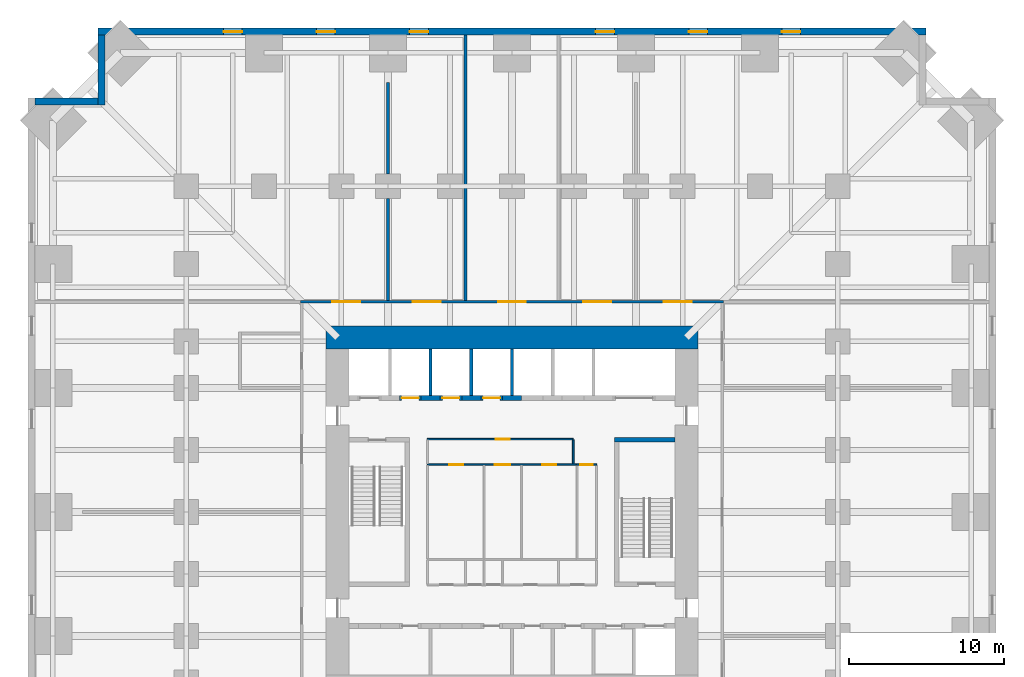
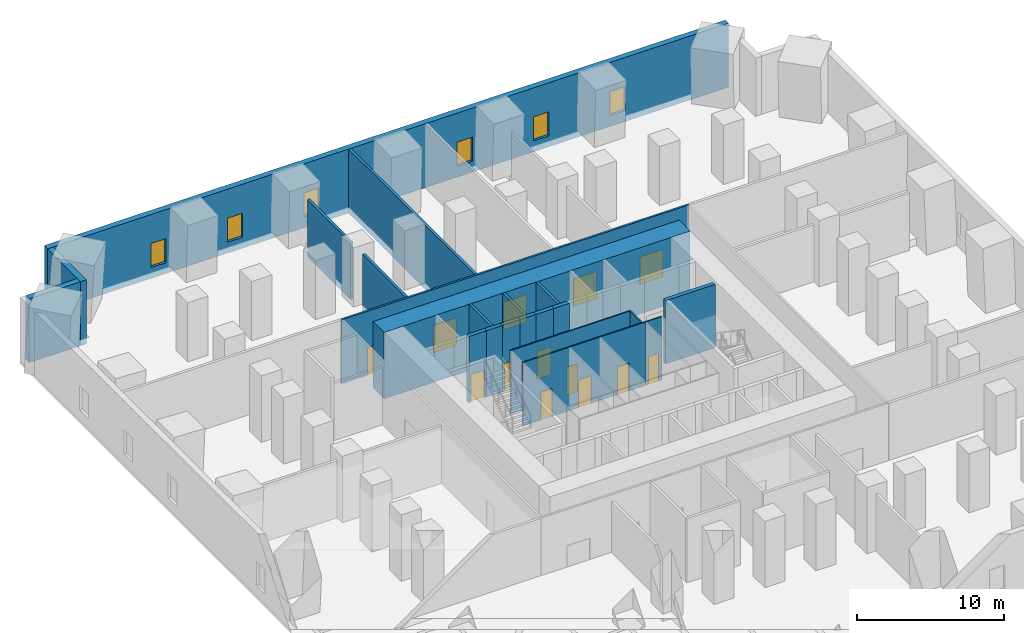
# One storey, part 6 of 8: 22 walls, 13 doors, 6 windows, 19 openings.
"""IFC4 building model written with IfcOpenShell, lengths in metres."""

from ifc_helpers import new_model, si_unit, direction, frame, frame_2d, origin, place, context, subcontext, project, spatial, rectangle, extrude, material, layer, layer_set, type_object, element, fill, save


model = new_model("IFC4")

# Units and contexts
model_context = context("Model", 3, precision=1e-05, world=origin(), true_north=direction((0.0, 1.0)))
body_context = subcontext(model_context, "Body", "Model", "MODEL_VIEW")
ifc_project = project(units=[si_unit("LENGTHUNIT", "METRE"), si_unit("AREAUNIT", "SQUARE_METRE"), si_unit("VOLUMEUNIT", "CUBIC_METRE"), si_unit("PLANEANGLEUNIT", "RADIAN"), si_unit("MASSUNIT", "GRAM", prefix="KILO")], contexts=[model_context])

# Site, building, storey
site_placement = place(None, origin())
site = spatial("IfcSite", under=ifc_project, at=site_placement, CompositionType="ELEMENT")
building_placement = place(site_placement, origin())
building = spatial("IfcBuilding", under=site, at=building_placement, Name="Peilmerk Tower", CompositionType="ELEMENT")
storey_placement = place(building_placement, frame((0.0, 0.0, 32.0)))
storey = spatial("IfcBuildingStorey", under=building, at=storey_placement, Name="L06", CompositionType="ELEMENT", Elevation=32.0)

# Wall, openings, windows
ifc_material_1 = material(Name="Precast concrete C45/55, board-marked finish", Category="concrete")
ifc_layer_1 = layer(ifc_material_1, 0.449951171875)
ifc_layer_set_1 = layer_set([ifc_layer_1], Name="Precast concrete C45/55, board-marked finish")
wall_type_1 = type_object("IfcWallType", Name="EW1 450 precast concrete facade wall, board-marked", PredefinedType="SOLIDWALL", material=ifc_layer_set_1)
wall_1_placement = place(storey_placement, frame((26.699951171875, 30.97509765625, 0.0), z_axis=(0.0, 0.0, 1.0), x_axis=(-1.0, 0.0, 0.0)))
wall_1 = element("IfcWall", 1, at=wall_1_placement, inside=storey, type_object=wall_type_1, Name="Facade wall N L06", PredefinedType="SOLIDWALL", context=body_context, shape_type="SweptSolid", body=[
    extrude(rectangle(XDim=53.39990234375, YDim=0.449951171875, at=frame_2d((26.699951171875, 0.0))), origin(), (0.0, 0.0, 1.0), 5.300048828125),
])
opening_1_placement = place(wall_1_placement, frame((8.10009765625, 0.0, 0.89990234375)))
opening_1 = element("IfcOpeningElement", 2, at=opening_1_placement, cuts=wall_1, Name="Opening W2", PredefinedType="OPENING", context=body_context, shape_type="SweptSolid", body=[
    extrude(rectangle(XDim=1.199951171875, YDim=2.0, at=frame_2d((0.60009765625, 1.0))), frame((0.0, 0.23486328125, 0.0), z_axis=(0.0, -1.0, 0.0), x_axis=(1.0, 0.0, 0.0)), (0.0, 0.0, 1.0), 0.469970703125),
])
opening_2_placement = place(wall_1_placement, frame((14.10009765625, 0.0, 0.89990234375)))
opening_2 = element("IfcOpeningElement", 3, at=opening_2_placement, cuts=wall_1, Name="Opening W2", PredefinedType="OPENING", context=body_context, shape_type="SweptSolid", body=[
    extrude(rectangle(XDim=1.199951171875, YDim=2.0, at=frame_2d((0.60009765625, 1.0))), frame((0.0, 0.23486328125, 0.0), z_axis=(0.0, -1.0, 0.0), x_axis=(1.0, 0.0, 0.0)), (0.0, 0.0, 1.0), 0.469970703125),
])
opening_3_placement = place(wall_1_placement, frame((20.10009765625, 0.0, 0.89990234375)))
opening_3 = element("IfcOpeningElement", 4, at=opening_3_placement, cuts=wall_1, Name="Opening W2", PredefinedType="OPENING", context=body_context, shape_type="SweptSolid", body=[
    extrude(rectangle(XDim=1.199951171875, YDim=2.0, at=frame_2d((0.60009765625, 1.0))), frame((0.0, 0.23486328125, 0.0), z_axis=(0.0, -1.0, 0.0), x_axis=(1.0, 0.0, 0.0)), (0.0, 0.0, 1.0), 0.469970703125),
])
opening_4_placement = place(wall_1_placement, frame((32.10009765625, 0.0, 0.89990234375)))
opening_4 = element("IfcOpeningElement", 5, at=opening_4_placement, cuts=wall_1, Name="Opening W2", PredefinedType="OPENING", context=body_context, shape_type="SweptSolid", body=[
    extrude(rectangle(XDim=1.199951171875, YDim=2.0, at=frame_2d((0.60009765625, 1.0))), frame((0.0, 0.23486328125, 0.0), z_axis=(0.0, -1.0, 0.0), x_axis=(1.0, 0.0, 0.0)), (0.0, 0.0, 1.0), 0.469970703125),
])
opening_5_placement = place(wall_1_placement, frame((38.10009765625, 0.0, 0.89990234375)))
opening_5 = element("IfcOpeningElement", 6, at=opening_5_placement, cuts=wall_1, Name="Opening W2", PredefinedType="OPENING", context=body_context, shape_type="SweptSolid", body=[
    extrude(rectangle(XDim=1.199951171875, YDim=2.0, at=frame_2d((0.60009765625, 1.0))), frame((0.0, 0.23486328125, 0.0), z_axis=(0.0, -1.0, 0.0), x_axis=(1.0, 0.0, 0.0)), (0.0, 0.0, 1.0), 0.469970703125),
])
opening_6_placement = place(wall_1_placement, frame((44.10009765625, 0.0, 0.89990234375)))
opening_6 = element("IfcOpeningElement", 7, at=opening_6_placement, cuts=wall_1, Name="Opening W2", PredefinedType="OPENING", context=body_context, shape_type="SweptSolid", body=[
    extrude(rectangle(XDim=1.199951171875, YDim=2.0, at=frame_2d((0.60009765625, 1.0))), frame((0.0, 0.23486328125, 0.0), z_axis=(0.0, -1.0, 0.0), x_axis=(1.0, 0.0, 0.0)), (0.0, 0.0, 1.0), 0.469970703125),
])
ifc_material_2 = material(Name="Aluminium frame, clear double glazing", Category="aluminium")
window_type = type_object("IfcWindowType", Name="W2 1200x2000 data hall slot window", PartitioningType="SINGLE_PANEL", PredefinedType="WINDOW", material=ifc_material_2)
window_1_placement = place(opening_1_placement, origin())
window_1 = element("IfcWindow", 8, at=window_1_placement, inside=storey, type_object=window_type, Name="Window W2 L06", OverallHeight=2.0, OverallWidth=1.199951171875, PartitioningType="SINGLE_PANEL", PredefinedType="WINDOW", context=body_context, shape_type="SweptSolid", body=[
    extrude(rectangle(XDim=1.199951171875, YDim=2.0, at=frame_2d((0.60009765625, 1.0))), frame((0.0, 0.030029296875, 0.0), z_axis=(0.0, -1.0, 0.0), x_axis=(1.0, 0.0, 0.0)), (0.0, 0.0, 1.0), 0.06005859375),
])
fill(opening_1, window_1)
window_2_placement = place(opening_2_placement, origin())
window_2 = element("IfcWindow", 9, at=window_2_placement, inside=storey, type_object=window_type, Name="Window W2 L06", OverallHeight=2.0, OverallWidth=1.199951171875, PartitioningType="SINGLE_PANEL", PredefinedType="WINDOW", context=body_context, shape_type="SweptSolid", body=[
    extrude(rectangle(XDim=1.199951171875, YDim=2.0, at=frame_2d((0.60009765625, 1.0))), frame((0.0, 0.030029296875, 0.0), z_axis=(0.0, -1.0, 0.0), x_axis=(1.0, 0.0, 0.0)), (0.0, 0.0, 1.0), 0.06005859375),
])
fill(opening_2, window_2)
window_3_placement = place(opening_3_placement, origin())
window_3 = element("IfcWindow", 10, at=window_3_placement, inside=storey, type_object=window_type, Name="Window W2 L06", OverallHeight=2.0, OverallWidth=1.199951171875, PartitioningType="SINGLE_PANEL", PredefinedType="WINDOW", context=body_context, shape_type="SweptSolid", body=[
    extrude(rectangle(XDim=1.199951171875, YDim=2.0, at=frame_2d((0.60009765625, 1.0))), frame((0.0, 0.030029296875, 0.0), z_axis=(0.0, -1.0, 0.0), x_axis=(1.0, 0.0, 0.0)), (0.0, 0.0, 1.0), 0.06005859375),
])
fill(opening_3, window_3)
window_4_placement = place(opening_4_placement, origin())
window_4 = element("IfcWindow", 11, at=window_4_placement, inside=storey, type_object=window_type, Name="Window W2 L06", OverallHeight=2.0, OverallWidth=1.199951171875, PartitioningType="SINGLE_PANEL", PredefinedType="WINDOW", context=body_context, shape_type="SweptSolid", body=[
    extrude(rectangle(XDim=1.199951171875, YDim=2.0, at=frame_2d((0.60009765625, 1.0))), frame((0.0, 0.030029296875, 0.0), z_axis=(0.0, -1.0, 0.0), x_axis=(1.0, 0.0, 0.0)), (0.0, 0.0, 1.0), 0.06005859375),
])
fill(opening_4, window_4)
window_5_placement = place(opening_5_placement, origin())
window_5 = element("IfcWindow", 12, at=window_5_placement, inside=storey, type_object=window_type, Name="Window W2 L06", OverallHeight=2.0, OverallWidth=1.199951171875, PartitioningType="SINGLE_PANEL", PredefinedType="WINDOW", context=body_context, shape_type="SweptSolid", body=[
    extrude(rectangle(XDim=1.199951171875, YDim=2.0, at=frame_2d((0.60009765625, 1.0))), frame((0.0, 0.030029296875, 0.0), z_axis=(0.0, -1.0, 0.0), x_axis=(1.0, 0.0, 0.0)), (0.0, 0.0, 1.0), 0.06005859375),
])
fill(opening_5, window_5)
window_6_placement = place(opening_6_placement, origin())
window_6 = element("IfcWindow", 13, at=window_6_placement, inside=storey, type_object=window_type, Name="Window W2 L06", OverallHeight=2.0, OverallWidth=1.199951171875, PartitioningType="SINGLE_PANEL", PredefinedType="WINDOW", context=body_context, shape_type="SweptSolid", body=[
    extrude(rectangle(XDim=1.199951171875, YDim=2.0, at=frame_2d((0.60009765625, 1.0))), frame((0.0, 0.030029296875, 0.0), z_axis=(0.0, -1.0, 0.0), x_axis=(1.0, 0.0, 0.0)), (0.0, 0.0, 1.0), 0.06005859375),
])
fill(opening_6, window_6)

# Walls
wall_2_placement = place(storey_placement, frame((-26.47509765625, 26.25, 0.0), z_axis=(0.0, 0.0, 1.0), x_axis=(0.0, 1.0, 0.0)))
element("IfcWall", 14, at=wall_2_placement, inside=storey, type_object=wall_type_1, Name="Facade wall NWA L06", PredefinedType="SOLIDWALL", context=body_context, shape_type="SweptSolid", body=[
    extrude(rectangle(XDim=4.5, YDim=0.449951171875, at=frame_2d((2.25, 0.0))), origin(), (0.0, 0.0, 1.0), 5.300048828125),
])
wall_3_placement = place(storey_placement, frame((-26.699951171875, 26.47509765625, 0.0), z_axis=(0.0, 0.0, 1.0), x_axis=(-1.0, 0.0, 0.0)))
element("IfcWall", 15, at=wall_3_placement, inside=storey, type_object=wall_type_1, Name="Facade wall NWB L06", PredefinedType="SOLIDWALL", context=body_context, shape_type="SweptSolid", body=[
    extrude(rectangle(XDim=4.050048828125, YDim=0.449951171875, at=frame_2d((2.02490234375, 0.0))), origin(), (0.0, 0.0, 1.0), 5.300048828125),
])

# Wall, openings, doors
ifc_material_3 = material(Name="Calcium silicate block", Category="masonry")
ifc_layer_2 = layer(ifc_material_3, 0.14990234375)
ifc_layer_set_2 = layer_set([ifc_layer_2], Name="Calcium silicate block")
wall_type_2 = type_object("IfcWallType", Name="IW1 150 corridor partition, EI 60", PredefinedType="PARTITIONING", material=ifc_layer_set_2)
wall_4_placement = place(storey_placement, frame((-13.625, 13.550048828125, 0.0), z_axis=(0.0, 0.0, 1.0), x_axis=(1.0, 0.0, 0.0)))
wall_4 = element("IfcWall", 16, at=wall_4_placement, inside=storey, type_object=wall_type_2, Name="Corridor wall N L06", PredefinedType="PARTITIONING", context=body_context, shape_type="SweptSolid", body=[
    extrude(rectangle(XDim=27.25, YDim=0.14990234375, at=frame_2d((13.625, 0.0))), origin(), (0.0, 0.0, 1.0), 5.300048828125),
])
opening_7_placement = place(wall_4_placement, frame((2.02490234375, 0.0, 0.0)))
opening_7 = element("IfcOpeningElement", 17, at=opening_7_placement, cuts=wall_4, Name="Opening D2", PredefinedType="OPENING", context=body_context, shape_type="SweptSolid", body=[
    extrude(rectangle(XDim=1.800048828125, YDim=2.300048828125, at=frame_2d((0.89990234375, 1.14990234375))), frame((0.0, 0.0849609375, 0.0), z_axis=(0.0, -1.0, 0.0), x_axis=(1.0, 0.0, 0.0)), (0.0, 0.0, 1.0), 0.169921875),
])
opening_8_placement = place(wall_4_placement, frame((7.22509765625, 0.0, 0.0)))
opening_8 = element("IfcOpeningElement", 18, at=opening_8_placement, cuts=wall_4, Name="Opening D2", PredefinedType="OPENING", context=body_context, shape_type="SweptSolid", body=[
    extrude(rectangle(XDim=1.800048828125, YDim=2.300048828125, at=frame_2d((0.89990234375, 1.14990234375))), frame((0.0, 0.0849609375, 0.0), z_axis=(0.0, -1.0, 0.0), x_axis=(1.0, 0.0, 0.0)), (0.0, 0.0, 1.0), 0.169921875),
])
opening_9_placement = place(wall_4_placement, frame((12.72509765625, 0.0, 0.0)))
opening_9 = element("IfcOpeningElement", 19, at=opening_9_placement, cuts=wall_4, Name="Opening D2", PredefinedType="OPENING", context=body_context, shape_type="SweptSolid", body=[
    extrude(rectangle(XDim=1.800048828125, YDim=2.300048828125, at=frame_2d((0.89990234375, 1.14990234375))), frame((0.0, 0.0849609375, 0.0), z_axis=(0.0, -1.0, 0.0), x_axis=(1.0, 0.0, 0.0)), (0.0, 0.0, 1.0), 0.169921875),
])
opening_10_placement = place(wall_4_placement, frame((18.22509765625, 0.0, 0.0)))
opening_10 = element("IfcOpeningElement", 20, at=opening_10_placement, cuts=wall_4, Name="Opening D2", PredefinedType="OPENING", context=body_context, shape_type="SweptSolid", body=[
    extrude(rectangle(XDim=1.800048828125, YDim=2.300048828125, at=frame_2d((0.89990234375, 1.14990234375))), frame((0.0, 0.0849609375, 0.0), z_axis=(0.0, -1.0, 0.0), x_axis=(1.0, 0.0, 0.0)), (0.0, 0.0, 1.0), 0.169921875),
])
opening_11_placement = place(wall_4_placement, frame((23.425048828125, 0.0, 0.0)))
opening_11 = element("IfcOpeningElement", 21, at=opening_11_placement, cuts=wall_4, Name="Opening D2", PredefinedType="OPENING", context=body_context, shape_type="SweptSolid", body=[
    extrude(rectangle(XDim=1.800048828125, YDim=2.300048828125, at=frame_2d((0.89990234375, 1.14990234375))), frame((0.0, 0.0849609375, 0.0), z_axis=(0.0, -1.0, 0.0), x_axis=(1.0, 0.0, 0.0)), (0.0, 0.0, 1.0), 0.169921875),
])
ifc_material_4 = material(Name="Steel door in steel frame", Category="steel")
door_type_1 = type_object("IfcDoorType", Name="D2 1800x2300 double door, EI2 60", OperationType="DOUBLE_DOOR_DOUBLE_SWING", PredefinedType="DOOR", material=ifc_material_4)
door_1_placement = place(opening_7_placement, origin())
door_1 = element("IfcDoor", 22, at=door_1_placement, inside=storey, type_object=door_type_1, Name="Door Data suite A L06", OperationType="DOUBLE_DOOR_DOUBLE_SWING", OverallHeight=2.300048828125, OverallWidth=1.800048828125, PredefinedType="DOOR", context=body_context, shape_type="SweptSolid", body=[
    extrude(rectangle(XDim=1.800048828125, YDim=2.300048828125, at=frame_2d((0.89990234375, 1.14990234375))), frame((0.0, 0.02490234375, 0.0), z_axis=(0.0, -1.0, 0.0), x_axis=(1.0, 0.0, 0.0)), (0.0, 0.0, 1.0), 0.050048828125),
])
fill(opening_7, door_1)
door_2_placement = place(opening_8_placement, origin())
door_2 = element("IfcDoor", 23, at=door_2_placement, inside=storey, type_object=door_type_1, Name="Door Data suite B L06", OperationType="DOUBLE_DOOR_DOUBLE_SWING", OverallHeight=2.300048828125, OverallWidth=1.800048828125, PredefinedType="DOOR", context=body_context, shape_type="SweptSolid", body=[
    extrude(rectangle(XDim=1.800048828125, YDim=2.300048828125, at=frame_2d((0.89990234375, 1.14990234375))), frame((0.0, 0.02490234375, 0.0), z_axis=(0.0, -1.0, 0.0), x_axis=(1.0, 0.0, 0.0)), (0.0, 0.0, 1.0), 0.050048828125),
])
fill(opening_8, door_2)
door_3_placement = place(opening_9_placement, origin())
door_3 = element("IfcDoor", 24, at=door_3_placement, inside=storey, type_object=door_type_1, Name="Door Build room L06", OperationType="DOUBLE_DOOR_DOUBLE_SWING", OverallHeight=2.300048828125, OverallWidth=1.800048828125, PredefinedType="DOOR", context=body_context, shape_type="SweptSolid", body=[
    extrude(rectangle(XDim=1.800048828125, YDim=2.300048828125, at=frame_2d((0.89990234375, 1.14990234375))), frame((0.0, 0.02490234375, 0.0), z_axis=(0.0, -1.0, 0.0), x_axis=(1.0, 0.0, 0.0)), (0.0, 0.0, 1.0), 0.050048828125),
])
fill(opening_9, door_3)
door_4_placement = place(opening_10_placement, origin())
door_4 = element("IfcDoor", 25, at=door_4_placement, inside=storey, type_object=door_type_1, Name="Door Data suite C L06", OperationType="DOUBLE_DOOR_DOUBLE_SWING", OverallHeight=2.300048828125, OverallWidth=1.800048828125, PredefinedType="DOOR", context=body_context, shape_type="SweptSolid", body=[
    extrude(rectangle(XDim=1.800048828125, YDim=2.300048828125, at=frame_2d((0.89990234375, 1.14990234375))), frame((0.0, 0.02490234375, 0.0), z_axis=(0.0, -1.0, 0.0), x_axis=(1.0, 0.0, 0.0)), (0.0, 0.0, 1.0), 0.050048828125),
])
fill(opening_10, door_4)
door_5_placement = place(opening_11_placement, origin())
door_5 = element("IfcDoor", 26, at=door_5_placement, inside=storey, type_object=door_type_1, Name="Door Data suite D L06", OperationType="DOUBLE_DOOR_DOUBLE_SWING", OverallHeight=2.300048828125, OverallWidth=1.800048828125, PredefinedType="DOOR", context=body_context, shape_type="SweptSolid", body=[
    extrude(rectangle(XDim=1.800048828125, YDim=2.300048828125, at=frame_2d((0.89990234375, 1.14990234375))), frame((0.0, 0.02490234375, 0.0), z_axis=(0.0, -1.0, 0.0), x_axis=(1.0, 0.0, 0.0)), (0.0, 0.0, 1.0), 0.050048828125),
])
fill(opening_11, door_5)

# Walls
ifc_layer_3 = layer(ifc_material_3, 0.199951171875)
ifc_layer_set_3 = layer_set([ifc_layer_3], Name="Calcium silicate block")
wall_type_3 = type_object("IfcWallType", Name="IW2 200 room separating wall, EI 120", PredefinedType="PARTITIONING", material=ifc_layer_set_3)
wall_5_placement = place(storey_placement, frame((-8.0, 13.625, 0.0), z_axis=(0.0, 0.0, 1.0), x_axis=(0.0, 1.0, 0.0)))
element("IfcWall", 27, at=wall_5_placement, inside=storey, type_object=wall_type_3, Name="Room separating wall N1 L06", PredefinedType="PARTITIONING", context=body_context, shape_type="SweptSolid", body=[
    extrude(rectangle(XDim=6.574951171875, YDim=0.199951171875, at=frame_2d((3.28759765625, 0.0))), origin(), (0.0, 0.0, 1.0), 4.73095703125),
])
wall_6_placement = place(storey_placement, frame((-8.0, 21.800048828125, 0.0), z_axis=(0.0, 0.0, 1.0), x_axis=(0.0, 1.0, 0.0)))
element("IfcWall", 28, at=wall_6_placement, inside=storey, type_object=wall_type_3, Name="Room separating wall N1b L06", PredefinedType="PARTITIONING", context=body_context, shape_type="SweptSolid", body=[
    extrude(rectangle(XDim=5.887451171875, YDim=0.199951171875, at=frame_2d((2.94384765625, 0.0))), origin(), (0.0, 0.0, 1.0), 4.73095703125),
])
wall_7_placement = place(storey_placement, frame((-3.0, 13.625, 0.0), z_axis=(0.0, 0.0, 1.0), x_axis=(0.0, 1.0, 0.0)))
element("IfcWall", 29, at=wall_7_placement, inside=storey, type_object=wall_type_3, Name="Room separating wall N2 L06", PredefinedType="PARTITIONING", context=body_context, shape_type="SweptSolid", body=[
    extrude(rectangle(XDim=17.125, YDim=0.199951171875, at=frame_2d((8.5625, 0.0))), origin(), (0.0, 0.0, 1.0), 5.300048828125),
])
ifc_material_5 = material(Name="Concrete C35/45", Category="concrete")
ifc_layer_4 = layer(ifc_material_5, 0.300048828125)
ifc_layer_set_4 = layer_set([ifc_layer_4], Name="Concrete C35/45")
wall_type_4 = type_object("IfcWallType", Name="IW3 300 concrete stair enclosure wall, EI 120", PredefinedType="SOLIDWALL", material=ifc_layer_set_4)
wall_8_placement = place(storey_placement, frame((6.60009765625, 4.64990234375, 0.0), z_axis=(0.0, 0.0, 1.0), x_axis=(1.0, 0.0, 0.0)))
element("IfcWall", 30, at=wall_8_placement, inside=storey, type_object=wall_type_4, Name="Stair 2 enclosure L06", PredefinedType="SOLIDWALL", context=body_context, shape_type="SweptSolid", body=[
    extrude(rectangle(XDim=3.89990234375, YDim=0.300048828125, at=frame_2d((1.949951171875, 0.0))), origin(), (0.0, 0.0, 1.0), 5.25),
])

# Wall, openings, doors
ifc_material_6 = material(Name="Plasterboard on steel studs", Category="steel")
ifc_layer_5 = layer(ifc_material_6, 0.10009765625)
ifc_layer_set_5 = layer_set([ifc_layer_5], Name="Plasterboard on steel studs")
wall_type_5 = type_object("IfcWallType", Name="IW4 100 WC partition", PredefinedType="PARTITIONING", material=ifc_layer_set_5)
wall_9_placement = place(storey_placement, frame((-5.449951171875, 3.050048828125, 0.0), z_axis=(0.0, 0.0, 1.0), x_axis=(1.0, 0.0, 0.0)))
wall_9 = element("IfcWall", 31, at=wall_9_placement, inside=storey, type_object=wall_type_5, Name="WC wall L06", PredefinedType="PARTITIONING", context=body_context, shape_type="SweptSolid", body=[
    extrude(rectangle(XDim=9.599853515625, YDim=0.10009765625, at=frame_2d((4.7998046875, 0.0))), origin(), (0.0, 0.0, 1.0), 5.25),
])
opening_12_placement = place(wall_9_placement, frame((1.39990234375, 0.0, 0.0)))
opening_12 = element("IfcOpeningElement", 32, at=opening_12_placement, cuts=wall_9, Name="Opening D5", PredefinedType="OPENING", context=body_context, shape_type="SweptSolid", body=[
    extrude(rectangle(XDim=0.89990234375, YDim=2.300048828125, at=frame_2d((0.449951171875, 1.14990234375))), frame((0.0, 0.06005859375, 0.0), z_axis=(0.0, -1.0, 0.0), x_axis=(1.0, 0.0, 0.0)), (0.0, 0.0, 1.0), 0.1201171875),
])
opening_13_placement = place(wall_9_placement, frame((4.35009765625, 0.0, 0.0)))
opening_13 = element("IfcOpeningElement", 33, at=opening_13_placement, cuts=wall_9, Name="Opening D6", PredefinedType="OPENING", context=body_context, shape_type="SweptSolid", body=[
    extrude(rectangle(XDim=1.0, YDim=2.300048828125, at=frame_2d((0.5, 1.14990234375))), frame((0.0, 0.06005859375, 0.0), z_axis=(0.0, -1.0, 0.0), x_axis=(1.0, 0.0, 0.0)), (0.0, 0.0, 1.0), 0.1201171875),
])
opening_14_placement = place(wall_9_placement, frame((7.39990234375, 0.0, 0.0)))
opening_14 = element("IfcOpeningElement", 34, at=opening_14_placement, cuts=wall_9, Name="Opening D5", PredefinedType="OPENING", context=body_context, shape_type="SweptSolid", body=[
    extrude(rectangle(XDim=0.89990234375, YDim=2.300048828125, at=frame_2d((0.449951171875, 1.14990234375))), frame((0.0, 0.06005859375, 0.0), z_axis=(0.0, -1.0, 0.0), x_axis=(1.0, 0.0, 0.0)), (0.0, 0.0, 1.0), 0.1201171875),
])
ifc_material_7 = material(Name="Timber door in steel frame", Category="steel")
door_type_2 = type_object("IfcDoorType", Name="D5 900x2300 WC door", OperationType="SINGLE_SWING_LEFT", PredefinedType="DOOR", material=ifc_material_7)
door_6_placement = place(opening_12_placement, frame((0.89990234375, 0.0, 0.0), z_axis=(0.0, 0.0, 1.0), x_axis=(-1.0, 0.0, 0.0)))
door_6 = element("IfcDoor", 35, at=door_6_placement, inside=storey, type_object=door_type_2, Name="Female toilets door L06", OperationType="SINGLE_SWING_LEFT", OverallHeight=2.300048828125, OverallWidth=0.89990234375, PredefinedType="DOOR", context=body_context, shape_type="SweptSolid", body=[
    extrude(rectangle(XDim=0.89990234375, YDim=2.300048828125, at=frame_2d((0.449951171875, 1.14990234375))), frame((0.0, 0.02490234375, 0.0), z_axis=(0.0, -1.0, 0.0), x_axis=(1.0, 0.0, 0.0)), (0.0, 0.0, 1.0), 0.050048828125),
])
fill(opening_12, door_6)
door_7_placement = place(opening_14_placement, frame((0.89990234375, 0.0, 0.0), z_axis=(0.0, 0.0, 1.0), x_axis=(-1.0, 0.0, 0.0)))
door_7 = element("IfcDoor", 36, at=door_7_placement, inside=storey, type_object=door_type_2, Name="Male toilets door L06", OperationType="SINGLE_SWING_LEFT", OverallHeight=2.300048828125, OverallWidth=0.89990234375, PredefinedType="DOOR", context=body_context, shape_type="SweptSolid", body=[
    extrude(rectangle(XDim=0.89990234375, YDim=2.300048828125, at=frame_2d((0.449951171875, 1.14990234375))), frame((0.0, 0.02490234375, 0.0), z_axis=(0.0, -1.0, 0.0), x_axis=(1.0, 0.0, 0.0)), (0.0, 0.0, 1.0), 0.050048828125),
])
fill(opening_14, door_7)
door_type_3 = type_object("IfcDoorType", Name="D6 1000x2300 accessible WC door", OperationType="SLIDING_TO_LEFT", PredefinedType="DOOR", material=ifc_material_7)
door_8_placement = place(opening_13_placement, frame((1.0, 0.0, 0.0), z_axis=(0.0, 0.0, 1.0), x_axis=(-1.0, 0.0, 0.0)))
door_8 = element("IfcDoor", 37, at=door_8_placement, inside=storey, type_object=door_type_3, Name="Accessible WC door L06", OperationType="SLIDING_TO_LEFT", OverallHeight=2.300048828125, OverallWidth=1.0, PredefinedType="DOOR", context=body_context, shape_type="SweptSolid", body=[
    extrude(rectangle(XDim=1.0, YDim=2.300048828125, at=frame_2d((0.5, 1.14990234375))), frame((0.0, 0.02490234375, 0.0), z_axis=(0.0, -1.0, 0.0), x_axis=(1.0, 0.0, 0.0)), (0.0, 0.0, 1.0), 0.050048828125),
])
fill(opening_13, door_8)

# Wall, opening, door
ifc_material_8 = material(Name="Calcium silicate board on steel studs", Category="steel")
ifc_layer_6 = layer(ifc_material_8, 0.10009765625)
ifc_layer_set_6 = layer_set([ifc_layer_6], Name="Calcium silicate board on steel studs")
wall_type_6 = type_object("IfcWallType", Name="IW5 100 riser enclosure wall, EI 60", PredefinedType="PARTITIONING", material=ifc_layer_set_6)
wall_10_placement = place(storey_placement, frame((4.14990234375, 3.050048828125, 0.0), z_axis=(0.0, 0.0, 1.0), x_axis=(1.0, 0.0, 0.0)))
wall_10 = element("IfcWall", 38, at=wall_10_placement, inside=storey, type_object=wall_type_6, Name="Riser wall L06", PredefinedType="PARTITIONING", context=body_context, shape_type="SweptSolid", body=[
    extrude(rectangle(XDim=1.300048828125, YDim=0.10009765625, at=frame_2d((0.64990234375, 0.0))), origin(), (0.0, 0.0, 1.0), 5.25),
])
opening_15_placement = place(wall_10_placement, frame((0.25, 0.0, 0.0)))
opening_15 = element("IfcOpeningElement", 39, at=opening_15_placement, cuts=wall_10, Name="Opening D7", PredefinedType="OPENING", context=body_context, shape_type="SweptSolid", body=[
    extrude(rectangle(XDim=0.800048828125, YDim=2.300048828125, at=frame_2d((0.39990234375, 1.14990234375))), frame((0.0, 0.06005859375, 0.0), z_axis=(0.0, -1.0, 0.0), x_axis=(1.0, 0.0, 0.0)), (0.0, 0.0, 1.0), 0.1201171875),
])
door_type_4 = type_object("IfcDoorType", Name="D7 800x2300 riser access door, EI2 60", OperationType="SINGLE_SWING_RIGHT", PredefinedType="DOOR", material=ifc_material_4)
door_9_placement = place(opening_15_placement, frame((0.800048828125, 0.0, 0.0), z_axis=(0.0, 0.0, 1.0), x_axis=(-1.0, 0.0, 0.0)))
door_9 = element("IfcDoor", 40, at=door_9_placement, inside=storey, type_object=door_type_4, Name="Plumbing riser door L06", OperationType="SINGLE_SWING_RIGHT", OverallHeight=2.300048828125, OverallWidth=0.800048828125, PredefinedType="DOOR", context=body_context, shape_type="SweptSolid", body=[
    extrude(rectangle(XDim=0.800048828125, YDim=2.300048828125, at=frame_2d((0.39990234375, 1.14990234375))), frame((0.0, 0.02490234375, 0.0), z_axis=(0.0, -1.0, 0.0), x_axis=(1.0, 0.0, 0.0)), (0.0, 0.0, 1.0), 0.050048828125),
])
fill(opening_15, door_9)

ifc_material_9 = material(Name="Fire-resisting plasterboard on steel studs", Category="steel")
ifc_layer_7 = layer(ifc_material_9, 0.10009765625)
ifc_layer_set_7 = layer_set([ifc_layer_7], Name="Fire-resisting plasterboard on steel studs")
wall_type_7 = type_object("IfcWallType", Name="IW9 100 WC lobby wall, EI 30", PredefinedType="PARTITIONING", material=ifc_layer_set_7)
wall_11_placement = place(storey_placement, frame((-5.449951171875, 4.699951171875, 0.0), z_axis=(0.0, 0.0, 1.0), x_axis=(1.0, 0.0, 0.0)))
wall_11 = element("IfcWall", 41, at=wall_11_placement, inside=storey, type_object=wall_type_7, Name="WC lobby wall L06", PredefinedType="PARTITIONING", context=body_context, shape_type="SweptSolid", body=[
    extrude(rectangle(XDim=9.39990234375, YDim=0.10009765625, at=frame_2d((4.699951171875, 0.0))), origin(), (0.0, 0.0, 1.0), 5.25),
])
opening_16_placement = place(wall_11_placement, frame((4.39990234375, 0.0, 0.0)))
opening_16 = element("IfcOpeningElement", 42, at=opening_16_placement, cuts=wall_11, Name="Opening D11", PredefinedType="OPENING", context=body_context, shape_type="SweptSolid", body=[
    extrude(rectangle(XDim=0.89990234375, YDim=2.300048828125, at=frame_2d((0.449951171875, 1.14990234375))), frame((0.0, 0.06005859375, 0.0), z_axis=(0.0, -1.0, 0.0), x_axis=(1.0, 0.0, 0.0)), (0.0, 0.0, 1.0), 0.1201171875),
])
door_type_5 = type_object("IfcDoorType", Name="D11 900x2300 WC lobby door, EI2 30", OperationType="SINGLE_SWING_LEFT", PredefinedType="DOOR", material=ifc_material_7)
door_10_placement = place(opening_16_placement, frame((0.89990234375, 0.0, 0.0), z_axis=(0.0, 0.0, 1.0), x_axis=(-1.0, 0.0, 0.0)))
door_10 = element("IfcDoor", 43, at=door_10_placement, inside=storey, type_object=door_type_5, Name="WC lobby door L06", OperationType="SINGLE_SWING_LEFT", OverallHeight=2.300048828125, OverallWidth=0.89990234375, PredefinedType="DOOR", context=body_context, shape_type="SweptSolid", body=[
    extrude(rectangle(XDim=0.89990234375, YDim=2.300048828125, at=frame_2d((0.449951171875, 1.14990234375))), frame((0.0, 0.02490234375, 0.0), z_axis=(0.0, -1.0, 0.0), x_axis=(1.0, 0.0, 0.0)), (0.0, 0.0, 1.0), 0.050048828125),
])
fill(opening_16, door_10)

# Walls
wall_12_placement = place(storey_placement, frame((3.949951171875, 3.10009765625, 0.0), z_axis=(0.0, 0.0, 1.0), x_axis=(0.0, 1.0, 0.0)))
element("IfcWall", 44, at=wall_12_placement, inside=storey, type_object=wall_type_7, Name="WC lobby wall L06", PredefinedType="PARTITIONING", context=body_context, shape_type="SweptSolid", body=[
    extrude(rectangle(XDim=1.5498046875, YDim=0.10009765625, at=frame_2d((0.77490234375, 0.0))), origin(), (0.0, 0.0, 1.0), 5.25),
])
ifc_layer_8 = layer(ifc_material_3, 0.199951171875)
ifc_layer_set_8 = layer_set([ifc_layer_8], Name="Calcium silicate block")
wall_type_8 = type_object("IfcWallType", Name="SH1 200 shaft dividing wall, EI 120", PredefinedType="PARTITIONING", material=ifc_layer_set_8)
for number, where, z_axis, x_axis, name in (
    (45, (-5.25, 7.5, 0.0), (0.0, 0.0, 1.0), (0.0, 1.0, 0.0), "Shaft wall N A1 L06"),
    (46, (-2.625, 7.5, 0.0), (0.0, 0.0, 1.0), (0.0, 1.0, 0.0), "Shaft wall N A2 L06"),
    (47, (0.0, 7.5, 0.0), (0.0, 0.0, 1.0), (0.0, 1.0, 0.0), "Shaft wall N A3 L06"),
):
    element("IfcWall", number, at=place(storey_placement, frame(where, z_axis=z_axis, x_axis=x_axis)), inside=storey, type_object=wall_type_8, Name=name, PredefinedType="PARTITIONING", context=body_context, shape_type="SweptSolid", body=[
        extrude(rectangle(XDim=3.0, YDim=0.199951171875, at=frame_2d((1.5, 0.0))), origin(), (0.0, 0.0, 1.0), 5.5),
    ])

# Wall, opening, door
ifc_layer_9 = layer(ifc_material_3, 0.300048828125)
ifc_layer_set_9 = layer_set([ifc_layer_9], Name="Calcium silicate block")
wall_type_9 = type_object("IfcWallType", Name="SH2 300 lift landing door panel, EI 120", PredefinedType="PARTITIONING", material=ifc_layer_set_9)
wall_13_placement = place(storey_placement, frame((-7.262451171875, 7.35009765625, 0.0), z_axis=(0.0, 0.0, 1.0), x_axis=(1.0, 0.0, 0.0)))
wall_13 = element("IfcWall", 48, at=wall_13_placement, inside=storey, type_object=wall_type_9, Name="Lift door panel N A1 L06", PredefinedType="PARTITIONING", context=body_context, shape_type="SweptSolid", body=[
    extrude(rectangle(XDim=1.39990234375, YDim=0.300048828125, at=frame_2d((0.699951171875, 0.0))), origin(), (0.0, 0.0, 1.0), 5.5),
])
opening_17_placement = place(wall_13_placement, frame((0.14990234375, 0.0, 0.0)))
opening_17 = element("IfcOpeningElement", 49, at=opening_17_placement, cuts=wall_13, Name="Opening LD1", PredefinedType="OPENING", context=body_context, shape_type="SweptSolid", body=[
    extrude(rectangle(XDim=1.10009765625, YDim=2.300048828125, at=frame_2d((0.550048828125, 1.14990234375))), frame((0.0, 0.159912109375, 0.0), z_axis=(0.0, -1.0, 0.0), x_axis=(1.0, 0.0, 0.0)), (0.0, 0.0, 1.0), 0.320068359375),
])
ifc_material_10 = material(Name="Stainless steel landing door", Category="steel")
door_type_6 = type_object("IfcDoorType", Name="LD1 1100x2300 lift landing door, sliding, EI2 60", OperationType="SLIDING_TO_LEFT", PredefinedType="DOOR", material=ifc_material_10)
door_11_placement = place(opening_17_placement, frame((1.10009765625, 0.0, 0.0), z_axis=(0.0, 0.0, 1.0), x_axis=(-1.0, 0.0, 0.0)))
door_11 = element("IfcDoor", 50, at=door_11_placement, inside=storey, type_object=door_type_6, Name="Lift landing door A1 L06", OperationType="SLIDING_TO_LEFT", OverallHeight=2.300048828125, OverallWidth=1.10009765625, PredefinedType="DOOR", context=body_context, shape_type="SweptSolid", body=[
    extrude(rectangle(XDim=1.10009765625, YDim=2.300048828125, at=frame_2d((0.550048828125, 1.14990234375))), frame((0.0, 0.02490234375, 0.0), z_axis=(0.0, -1.0, 0.0), x_axis=(1.0, 0.0, 0.0)), (0.0, 0.0, 1.0), 0.050048828125),
])
fill(opening_17, door_11)

wall_14_placement = place(storey_placement, frame((-4.637451171875, 7.35009765625, 0.0), z_axis=(0.0, 0.0, 1.0), x_axis=(1.0, 0.0, 0.0)))
wall_14 = element("IfcWall", 51, at=wall_14_placement, inside=storey, type_object=wall_type_9, Name="Lift door panel N A2 L06", PredefinedType="PARTITIONING", context=body_context, shape_type="SweptSolid", body=[
    extrude(rectangle(XDim=1.39990234375, YDim=0.300048828125, at=frame_2d((0.699951171875, 0.0))), origin(), (0.0, 0.0, 1.0), 5.5),
])
opening_18_placement = place(wall_14_placement, frame((0.14990234375, 0.0, 0.0)))
opening_18 = element("IfcOpeningElement", 52, at=opening_18_placement, cuts=wall_14, Name="Opening LD1", PredefinedType="OPENING", context=body_context, shape_type="SweptSolid", body=[
    extrude(rectangle(XDim=1.10009765625, YDim=2.300048828125, at=frame_2d((0.550048828125, 1.14990234375))), frame((0.0, 0.159912109375, 0.0), z_axis=(0.0, -1.0, 0.0), x_axis=(1.0, 0.0, 0.0)), (0.0, 0.0, 1.0), 0.320068359375),
])
door_12_placement = place(opening_18_placement, frame((1.10009765625, 0.0, 0.0), z_axis=(0.0, 0.0, 1.0), x_axis=(-1.0, 0.0, 0.0)))
door_12 = element("IfcDoor", 53, at=door_12_placement, inside=storey, type_object=door_type_6, Name="Lift landing door A2 L06", OperationType="SLIDING_TO_LEFT", OverallHeight=2.300048828125, OverallWidth=1.10009765625, PredefinedType="DOOR", context=body_context, shape_type="SweptSolid", body=[
    extrude(rectangle(XDim=1.10009765625, YDim=2.300048828125, at=frame_2d((0.550048828125, 1.14990234375))), frame((0.0, 0.02490234375, 0.0), z_axis=(0.0, -1.0, 0.0), x_axis=(1.0, 0.0, 0.0)), (0.0, 0.0, 1.0), 0.050048828125),
])
fill(opening_18, door_12)

wall_15_placement = place(storey_placement, frame((-2.012451171875, 7.35009765625, 0.0), z_axis=(0.0, 0.0, 1.0), x_axis=(1.0, 0.0, 0.0)))
wall_15 = element("IfcWall", 54, at=wall_15_placement, inside=storey, type_object=wall_type_9, Name="Lift door panel N A3 L06", PredefinedType="PARTITIONING", context=body_context, shape_type="SweptSolid", body=[
    extrude(rectangle(XDim=1.39990234375, YDim=0.300048828125, at=frame_2d((0.699951171875, 0.0))), origin(), (0.0, 0.0, 1.0), 5.5),
])
opening_19_placement = place(wall_15_placement, frame((0.14990234375, 0.0, 0.0)))
opening_19 = element("IfcOpeningElement", 55, at=opening_19_placement, cuts=wall_15, Name="Opening LD1", PredefinedType="OPENING", context=body_context, shape_type="SweptSolid", body=[
    extrude(rectangle(XDim=1.10009765625, YDim=2.300048828125, at=frame_2d((0.550048828125, 1.14990234375))), frame((0.0, 0.159912109375, 0.0), z_axis=(0.0, -1.0, 0.0), x_axis=(1.0, 0.0, 0.0)), (0.0, 0.0, 1.0), 0.320068359375),
])
door_13_placement = place(opening_19_placement, frame((1.10009765625, 0.0, 0.0), z_axis=(0.0, 0.0, 1.0), x_axis=(-1.0, 0.0, 0.0)))
door_13 = element("IfcDoor", 56, at=door_13_placement, inside=storey, type_object=door_type_6, Name="Lift landing door A3 L06", OperationType="SLIDING_TO_LEFT", OverallHeight=2.300048828125, OverallWidth=1.10009765625, PredefinedType="DOOR", context=body_context, shape_type="SweptSolid", body=[
    extrude(rectangle(XDim=1.10009765625, YDim=2.300048828125, at=frame_2d((0.550048828125, 1.14990234375))), frame((0.0, 0.02490234375, 0.0), z_axis=(0.0, -1.0, 0.0), x_axis=(1.0, 0.0, 0.0)), (0.0, 0.0, 1.0), 0.050048828125),
])
fill(opening_19, door_13)

# Walls
ifc_material_11 = material(Name="Concrete C55/67", Category="concrete")
ifc_layer_10 = layer(ifc_material_11, 1.5)
ifc_layer_set_10 = layer_set([ifc_layer_10], Name="Concrete C55/67")
wall_type_10 = type_object("IfcWallType", Name="SW1 1500 core wall", PredefinedType="SHEAR", material=ifc_layer_set_10)
wall_16_placement = place(storey_placement, frame((-12.0, 11.25, 0.0), z_axis=(0.0, 0.0, 1.0), x_axis=(1.0, 0.0, 0.0)))
element("IfcWall", 57, at=wall_16_placement, inside=storey, type_object=wall_type_10, Name="Core wall N L06", PredefinedType="SHEAR", context=body_context, shape_type="SweptSolid", body=[
    extrude(rectangle(XDim=24.0, YDim=1.5, at=frame_2d((12.0, 0.0))), origin(), (0.0, 0.0, 1.0), 5.5),
])
ifc_layer_11 = layer(ifc_material_11, 0.300048828125)
ifc_layer_set_11 = layer_set([ifc_layer_11], Name="Concrete C55/67")
wall_type_11 = type_object("IfcWallType", Name="SW2 300 lift bank pier", PredefinedType="SHEAR", material=ifc_layer_set_11)
for number, where, z_axis, x_axis, name in (
    (58, (-5.862548828125, 7.35009765625, 0.0), (0.0, 0.0, 1.0), (1.0, 0.0, 0.0), "Lift bank pier N L06"),
    (59, (-3.237548828125, 7.35009765625, 0.0), (0.0, 0.0, 1.0), (1.0, 0.0, 0.0), "Lift bank pier N L06"),
    (60, (-0.612548828125, 7.35009765625, 0.0), (0.0, 0.0, 1.0), (1.0, 0.0, 0.0), "Lift bank pier N L06"),
):
    element("IfcWall", number, at=place(storey_placement, frame(where, z_axis=z_axis, x_axis=x_axis)), inside=storey, type_object=wall_type_11, Name=name, PredefinedType="SHEAR", context=body_context, shape_type="SweptSolid", body=[
        extrude(rectangle(XDim=1.22509765625, YDim=0.300048828125, at=frame_2d((0.612548828125, 0.0))), origin(), (0.0, 0.0, 1.0), 5.5),
    ])

save(model, "model.ifc")
